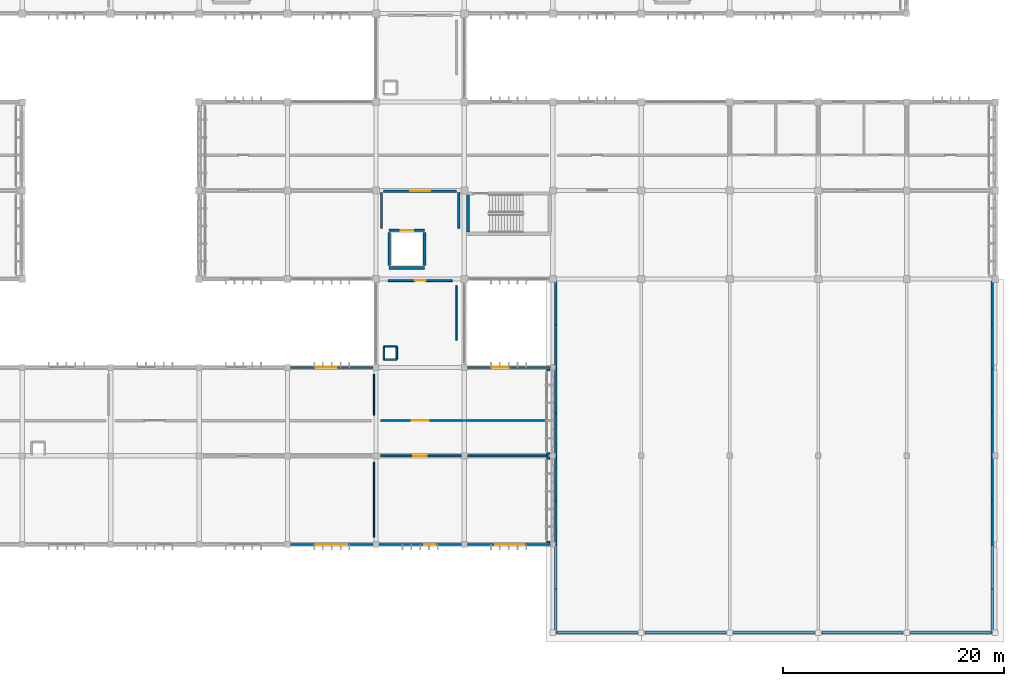
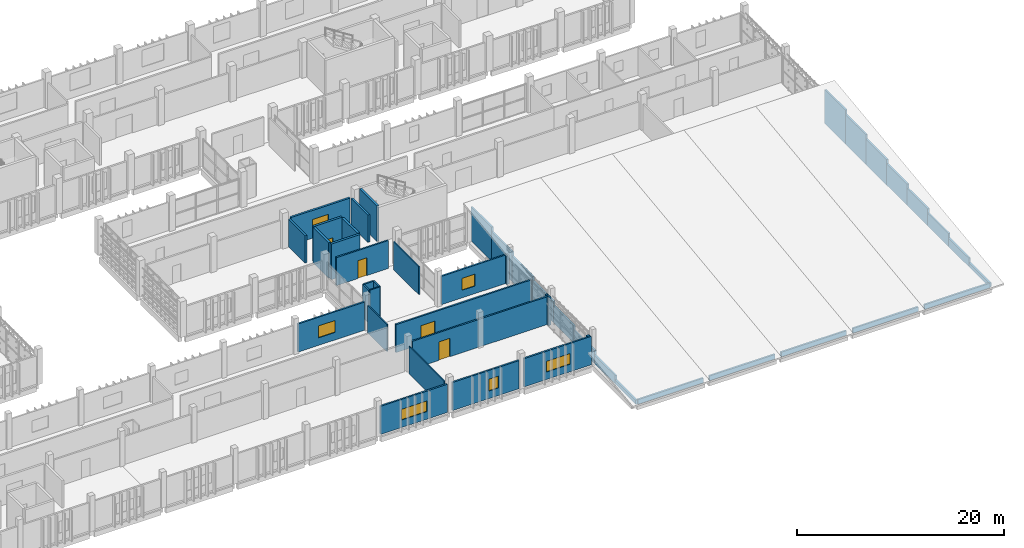
# One storey, part 71 of 83: 48 walls, 5 doors, 5 windows, 10 openings.
"""IFC4 building model written with IfcOpenShell, lengths in metres."""

import ifcopenshell
import ifcopenshell.guid

model = None  # the IFC model being written
_history = None  # IfcOwnerHistory: only IFC2X3 demands one
_inside = {}  # id of a spatial element -> (the spatial element, [elements in it])
_under = {}  # id of a project, library or spatial element -> (it, [spatial elements below it])
_declared = {}  # id of a project -> (the project, [libraries it declares])
_typed = {}  # id of a type object -> (the type object, [elements of that type])
_made_of = {}  # id of a material, layer set ... -> (it, [elements and type objects made of it])


def new_model(schema):
    """Start an empty IFC model of exactly this schema.

    Asked for "IFC4X3", IfcOpenShell would pick the latest addendum, in which some entities
    have other attributes; the version numbers below select the first issue.
    IFC2X3 requires an IfcOwnerHistory on every rooted entity: one is made here for all.
    """
    global model, _history
    if schema == "IFC4X3":
        model = ifcopenshell.file(schema_version=(4, 3, 0, 0))
    else:
        model = ifcopenshell.file(schema=schema)
    _inside.clear()
    _under.clear()
    _declared.clear()
    _typed.clear()
    _made_of.clear()
    _history = None
    if model.schema == "IFC2X3":
        org = make("IfcOrganization", Name="unknown")
        user = make(
            "IfcPersonAndOrganization",
            ThePerson=make("IfcPerson", FamilyName="unknown"),
            TheOrganization=org,
        )
        app = make(
            "IfcApplication",
            ApplicationDeveloper=org,
            Version="unknown",
            ApplicationFullName="unknown",
            ApplicationIdentifier="unknown",
        )
        _history = make(
            "IfcOwnerHistory",
            OwningUser=user,
            OwningApplication=app,
            ChangeAction="ADDED",
            CreationDate=0,
        )
    return model


def make(cls, **values):
    """One entity of the class cls with the attributes given. An attribute that is None is left unset."""
    return model.create_entity(
        cls, **{name: value for name, value in values.items() if value is not None}
    )


def rooted(cls, **values):
    """An entity with a GlobalId (a new one), such as an element, a storey or a relation."""
    return make(cls, GlobalId=ifcopenshell.guid.new(), OwnerHistory=_history, **values)


def si_unit(unit_type, name, prefix=None):
    """IfcSIUnit, for example si_unit("LENGTHUNIT", "METRE", prefix="MILLI")."""
    return make("IfcSIUnit", UnitType=unit_type, Prefix=prefix, Name=name)


def assignment(units):
    """IfcUnitAssignment: the units of a project."""
    return None if units is None else make("IfcUnitAssignment", Units=units)


def point(xyz):
    """IfcCartesianPoint."""
    return None if xyz is None else make("IfcCartesianPoint", Coordinates=xyz)


def direction(xyz):
    """IfcDirection."""
    return None if xyz is None else make("IfcDirection", DirectionRatios=xyz)


def frame(location, z_axis=None, x_axis=None):
    """IfcAxis2Placement3D, a coordinate frame: its origin and axes. An axis left out is left unset."""
    return make(
        "IfcAxis2Placement3D",
        Location=point(location),
        Axis=direction(z_axis),
        RefDirection=direction(x_axis),
    )


def frame_2d(location, x_axis=None):
    """IfcAxis2Placement2D, a coordinate frame in the plane: its origin and x axis."""
    return make(
        "IfcAxis2Placement2D", Location=point(location), RefDirection=direction(x_axis)
    )


def origin():
    """The frame at (0, 0, 0) with its axes left unset."""
    return frame((0.0, 0.0, 0.0))


def place(relative_to, where):
    """IfcLocalPlacement: puts the frame where relative to a parent placement (None: the world)."""
    return make(
        "IfcLocalPlacement", PlacementRelTo=relative_to, RelativePlacement=where
    )


def context(
    kind, dimensions, precision=None, world=None, true_north=None, identifier=None
):
    """IfcGeometricRepresentationContext, for example the 3D "Model" context."""
    return make(
        "IfcGeometricRepresentationContext",
        ContextIdentifier=identifier,
        ContextType=kind,
        CoordinateSpaceDimension=dimensions,
        Precision=precision,
        WorldCoordinateSystem=world,
        TrueNorth=true_north,
    )


def subcontext(parent, identifier, kind, view, scale=None):
    """IfcGeometricRepresentationSubContext, for example "Body" below "Model"."""
    return make(
        "IfcGeometricRepresentationSubContext",
        ContextIdentifier=identifier,
        ContextType=kind,
        ParentContext=parent,
        TargetScale=scale,
        TargetView=view,
    )


def project(units=None, contexts=None):
    """IfcProject with its units and contexts."""
    return rooted(
        "IfcProject",
        Name="project",
        RepresentationContexts=contexts,
        UnitsInContext=assignment(units),
    )


def spatial(cls, under=None, at=None, **own):
    """A site, building, storey or space (cls), placed at a placement, below another one or the project."""
    s = rooted(cls, ObjectPlacement=at, **own)
    if under is not None:
        _under.setdefault(under.id(), (under, []))[1].append(s)
    return s


def profile(cls, at=None, kind="AREA", **sizes):
    """A parametric profile (cls). Its sizes go by their IFC names, for example OverallWidth=200.0."""
    return make(cls, ProfileType=kind, Position=at, **sizes)


def rectangle(**sizes):
    """IfcRectangleProfileDef."""
    return profile("IfcRectangleProfileDef", **sizes)


def extrude(swept, where, along, depth):
    """IfcExtrudedAreaSolid: the profile swept, set in the frame where, extruded along a direction by depth."""
    return make(
        "IfcExtrudedAreaSolid",
        SweptArea=swept,
        Position=where,
        ExtrudedDirection=direction(along),
        Depth=depth,
    )


def shape(context_of_items, identifier, shape_type, items):
    """IfcShapeRepresentation: the items that make up one representation, for example the "Body"."""
    return make(
        "IfcShapeRepresentation",
        ContextOfItems=context_of_items,
        RepresentationIdentifier=identifier,
        RepresentationType=shape_type,
        Items=items,
    )


def material(Name=None, Category=None):
    """IfcMaterial."""
    return make("IfcMaterial", Name=Name, Category=Category)


def layer(
    of_material, thickness, ventilated=None, Name=None, Category=None, Priority=None
):
    """IfcMaterialLayer: one layer of a wall or slab, of a material (None: an air gap)."""
    return make(
        "IfcMaterialLayer",
        Material=of_material,
        LayerThickness=thickness,
        IsVentilated=ventilated,
        Name=Name,
        Category=Category,
        Priority=Priority,
    )


def layer_set(layers, Name=None):
    """IfcMaterialLayerSet."""
    return make("IfcMaterialLayerSet", MaterialLayers=layers, LayerSetName=Name)


def made_of(thing, what):
    """Note that an element or type object is made of a material, layer set ...; save() writes the relation."""
    if what is not None:
        _made_of.setdefault(what.id(), (what, []))[1].append(thing)
    return thing


def type_object(cls, material=None, **own):
    """A type object (cls), such as IfcWallType, which elements share."""
    return made_of(rooted(cls, **own), material)


def element(
    cls,
    number,
    at=None,
    inside=None,
    cuts=None,
    type_object=None,
    material=None,
    context=None,
    identifier="Body",
    shape_type=None,
    held_by="IfcProductDefinitionShape",
    body=None,
    shapes=None,
    **own,
):
    """One element of the class cls, such as IfcWall. Its Tag is "e" and its number.

    at: its placement. inside: the storey or other place that contains it. cuts: it is an
    opening in that element (IfcRelVoidsElement). A single representation is given by context,
    identifier, shape_type and body (its items); several are given by shapes. held_by: the class
    of the entity that holds the representations. save() writes the other relations.
    """
    e = rooted(cls, Tag="e%d" % number, ObjectPlacement=at, **own)
    if body is not None:
        shapes = [shape(context, identifier, shape_type, body)]
    if shapes is not None:
        e.Representation = make(held_by, Representations=shapes)
    if inside is not None:
        _inside.setdefault(inside.id(), (inside, []))[1].append(e)
    if cuts is not None:
        rooted(
            "IfcRelVoidsElement", RelatingBuildingElement=cuts, RelatedOpeningElement=e
        )
    if type_object is not None:
        _typed.setdefault(type_object.id(), (type_object, []))[1].append(e)
    return made_of(e, material)


def fill(opening, filler):
    """IfcRelFillsElement: the door or window that sits in an opening."""
    return rooted(
        "IfcRelFillsElement",
        RelatingOpeningElement=opening,
        RelatedBuildingElement=filler,
    )


def aggregate(whole, parts):
    """IfcRelAggregates: a whole, such as a stair, and the parts it consists of."""
    return rooted("IfcRelAggregates", RelatingObject=whole, RelatedObjects=parts)


def save(model, path):
    """Write the relations noted so far, then the file.

    IfcRelAggregates (storeys below a building ...), IfcRelContainedInSpatialStructure (elements
    in a storey), IfcRelDefinesByType, IfcRelAssociatesMaterial and IfcRelDeclares: one each for
    every whole, place, type object, material and project.
    """
    for whole, parts in _under.values():
        aggregate(whole, parts)
    for where, things in _inside.values():
        rooted(
            "IfcRelContainedInSpatialStructure",
            RelatedElements=things,
            RelatingStructure=where,
        )
    for kind, things in _typed.values():
        rooted("IfcRelDefinesByType", RelatedObjects=things, RelatingType=kind)
    for what, things in _made_of.values():
        rooted("IfcRelAssociatesMaterial", RelatedObjects=things, RelatingMaterial=what)
    for by, libraries in _declared.values():
        rooted("IfcRelDeclares", RelatingContext=by, RelatedDefinitions=libraries)
    model.write(path)


model = new_model("IFC4")

# Units and contexts
model_context = context("Model", 3, precision=1e-05, world=origin(), true_north=direction((0.0, 1.0)))
body_context = subcontext(model_context, "Body", "Model", "MODEL_VIEW")
ifc_project = project(units=[si_unit("LENGTHUNIT", "METRE"), si_unit("AREAUNIT", "SQUARE_METRE"), si_unit("VOLUMEUNIT", "CUBIC_METRE"), si_unit("PLANEANGLEUNIT", "RADIAN"), si_unit("MASSUNIT", "GRAM", prefix="KILO")], contexts=[model_context])

# Site, building, storey
site_placement = place(None, origin())
site = spatial("IfcSite", under=ifc_project, at=site_placement, CompositionType="ELEMENT")
building_placement = place(site_placement, origin())
building = spatial("IfcBuilding", under=site, at=building_placement, Name="Jelvoka-Kovrelna Polytechnic", CompositionType="ELEMENT")
storey_placement = place(building_placement, frame((0.0, 0.0, 13.800048828125)))
storey = spatial("IfcBuildingStorey", under=building, at=storey_placement, Name="L04", CompositionType="ELEMENT", Elevation=13.800048828125)

# Wall, opening, door
ifc_material_1 = material(Name="Concrete C35/45", Category="concrete")
ifc_layer_1 = layer(ifc_material_1, 0.219970703125)
ifc_layer_set_1 = layer_set([ifc_layer_1], Name="Concrete C35/45")
wall_type_1 = type_object("IfcWallType", Name="Wall_Compartment_220", PredefinedType="PARTITIONING", material=ifc_layer_set_1)
wall_1_placement = place(storey_placement, frame((144.699951171875, 39.949951171875, 0.0), z_axis=(0.0, 0.0, 1.0), x_axis=(1.0, 0.0, 0.0)))
wall_1 = element("IfcWall", 1, at=wall_1_placement, inside=storey, type_object=wall_type_1, Name="L04 interior wall 0488", PredefinedType="PARTITIONING", context=body_context, shape_type="SweptSolid", body=[
    extrude(rectangle(XDim=6.60009765625, YDim=0.219970703125, at=frame_2d((3.300048828125, 0.0))), origin(), (0.0, 0.0, 1.0), 3.27490234375),
])
opening_1_placement = place(wall_1_placement, frame((2.39990234375, 0.0, 0.0)))
opening_1 = element("IfcOpeningElement", 2, at=opening_1_placement, cuts=wall_1, Name="Opening FD-L04-093", PredefinedType="OPENING", context=body_context, shape_type="SweptSolid", body=[
    extrude(rectangle(XDim=1.800048828125, YDim=2.199951171875, at=frame_2d((0.89990234375, 1.10009765625))), frame((0.0, 0.119873046875, 0.0), z_axis=(0.0, -1.0, 0.0), x_axis=(1.0, 0.0, 0.0)), (0.0, 0.0, 1.0), 0.239990234375),
])
ifc_material_2 = material(Name="Paired steel corridor fire door", Category="steel")
door_type_1 = type_object("IfcDoorType", Name="Door_Fire_FD03", OperationType="NOTDEFINED", PredefinedType="DOOR", material=ifc_material_2)
door_1_placement = place(opening_1_placement, origin())
door_1 = element("IfcDoor", 3, at=door_1_placement, inside=storey, type_object=door_type_1, Name="L04 interior door FD-L04-093", OperationType="DOUBLE_DOOR_SINGLE_SWING", OverallHeight=2.199951171875, OverallWidth=1.800048828125, PredefinedType="DOOR", context=body_context, shape_type="SweptSolid", body=[
    extrude(rectangle(XDim=1.800048828125, YDim=2.199951171875, at=frame_2d((0.89990234375, 1.10009765625))), frame((0.0, 0.02490234375, 0.0), z_axis=(0.0, -1.0, 0.0), x_axis=(1.0, 0.0, 0.0)), (0.0, 0.0, 1.0), 0.050048828125),
])
fill(opening_1, door_1)

# Walls
for number, where, z_axis, x_axis, name in (
    (4, (144.5, 36.550048828125, 0.0), (0.0, 0.0, 1.0), (0.0, 1.0, 0.0), "L04 interior wall 0489"),
    (5, (151.5, 36.550048828125, 0.0), (0.0, 0.0, 1.0), (0.0, 1.0, 0.0), "L04 interior wall 0490"),
):
    element("IfcWall", number, at=place(storey_placement, frame(where, z_axis=z_axis, x_axis=x_axis)), inside=storey, type_object=wall_type_1, Name=name, PredefinedType="PARTITIONING", context=body_context, shape_type="SweptSolid", body=[
        extrude(rectangle(XDim=3.25, YDim=0.219970703125, at=frame_2d((1.625, 0.0))), origin(), (0.0, 0.0, 1.0), 3.224853515625),
    ])
ifc_material_3 = material(Name="Concrete C40/50", Category="concrete")
ifc_layer_2 = layer(ifc_material_3, 0.25)
ifc_layer_set_2 = layer_set([ifc_layer_2], Name="Concrete C40/50")
wall_type_2 = type_object("IfcWallType", Name="Wall_Core_250", PredefinedType="SOLIDWALL", material=ifc_layer_set_2)
wall_2_placement = place(storey_placement, frame((152.324951171875, 36.25, 0.0), z_axis=(0.0, 0.0, 1.0), x_axis=(0.0, 1.0, 0.0)))
element("IfcWall", 6, at=wall_2_placement, inside=storey, type_object=wall_type_2, Name="L04 interior wall 0132", PredefinedType="SOLIDWALL", context=body_context, shape_type="SweptSolid", body=[
    extrude(rectangle(XDim=3.360107421875, YDim=0.25, at=frame_2d((1.68017578125, 0.0))), origin(), (0.0, 0.0, 1.0), 4.199951171875),
])
wall_3_placement = place(storey_placement, frame((145.199951171875, 33.0, 0.0), z_axis=(0.0, 0.0, 1.0), x_axis=(1.0, 0.0, 0.0)))
element("IfcWall", 7, at=wall_3_placement, inside=storey, type_object=wall_type_2, Name="L04 interior wall 0484", PredefinedType="SOLIDWALL", context=body_context, shape_type="SweptSolid", body=[
    extrude(rectangle(XDim=3.199951171875, YDim=0.25, at=frame_2d((1.60009765625, 0.0))), origin(), (0.0, 0.0, 1.0), 4.199951171875),
])

# Wall, opening, door
wall_4_placement = place(storey_placement, frame((145.199951171875, 36.39990234375, 0.0), z_axis=(0.0, 0.0, 1.0), x_axis=(1.0, 0.0, 0.0)))
wall_4 = element("IfcWall", 8, at=wall_4_placement, inside=storey, type_object=wall_type_2, Name="L04 interior wall 0485", PredefinedType="SOLIDWALL", context=body_context, shape_type="SweptSolid", body=[
    extrude(rectangle(XDim=3.199951171875, YDim=0.25, at=frame_2d((1.60009765625, 0.0))), origin(), (0.0, 0.0, 1.0), 4.199951171875),
])
opening_2_placement = place(wall_4_placement, frame((1.050048828125, 0.0, 0.0)))
opening_2 = element("IfcOpeningElement", 9, at=opening_2_placement, cuts=wall_4, Name="Opening LD-L04-30", PredefinedType="OPENING", context=body_context, shape_type="SweptSolid", body=[
    extrude(rectangle(XDim=1.10009765625, YDim=2.14990234375, at=frame_2d((0.550048828125, 1.074951171875))), frame((0.0, 0.135009765625, 0.0), z_axis=(0.0, -1.0, 0.0), x_axis=(1.0, 0.0, 0.0)), (0.0, 0.0, 1.0), 0.27001953125),
])
ifc_material_4 = material(Name="Brushed stainless steel sliding landing door", Category="steel")
door_type_2 = type_object("IfcDoorType", Name="Door_Lift_LD01", OperationType="NOTDEFINED", PredefinedType="DOOR", material=ifc_material_4)
door_2_placement = place(opening_2_placement, origin())
door_2 = element("IfcDoor", 10, at=door_2_placement, inside=storey, type_object=door_type_2, Name="L04 lift landing sliding door LD-L04-30", OperationType="DOUBLE_DOOR_SLIDING", OverallHeight=2.14990234375, OverallWidth=1.10009765625, PredefinedType="DOOR", context=body_context, shape_type="SweptSolid", body=[
    extrude(rectangle(XDim=1.10009765625, YDim=2.14990234375, at=frame_2d((0.550048828125, 1.074951171875))), frame((0.0, 0.02490234375, 0.0), z_axis=(0.0, -1.0, 0.0), x_axis=(1.0, 0.0, 0.0)), (0.0, 0.0, 1.0), 0.050048828125),
])
fill(opening_2, door_2)

# Walls
for number, where, z_axis, x_axis, name in (
    (11, (145.199951171875, 33.199951171875, 0.0), (0.0, 0.0, 1.0), (0.0, 1.0, 0.0), "L04 interior wall 0486"),
    (12, (148.39990234375, 33.199951171875, 0.0), (0.0, 0.0, 1.0), (0.0, 1.0, 0.0), "L04 interior wall 0487"),
):
    element("IfcWall", number, at=place(storey_placement, frame(where, z_axis=z_axis, x_axis=x_axis)), inside=storey, type_object=wall_type_2, Name=name, PredefinedType="SOLIDWALL", context=body_context, shape_type="SweptSolid", body=[
        extrude(rectangle(XDim=3.0, YDim=0.25, at=frame_2d((1.5, 0.0))), origin(), (0.0, 0.0, 1.0), 4.199951171875),
    ])

# Wall, opening, door
ifc_material_5 = material(Name="Autoclaved aerated concrete blockwork", Category="masonry")
ifc_layer_3 = layer(ifc_material_5, 0.179931640625)
ifc_layer_set_3 = layer_set([ifc_layer_3], Name="Autoclaved aerated concrete blockwork")
wall_type_3 = type_object("IfcWallType", Name="Wall_Corridor_180", PredefinedType="PARTITIONING", material=ifc_layer_set_3)
wall_5_placement = place(storey_placement, frame((144.429931640625, 16.0, 0.0), z_axis=(0.0, 0.0, 1.0), x_axis=(1.0, 0.0, 0.0)))
wall_5 = element("IfcWall", 13, at=wall_5_placement, inside=storey, type_object=wall_type_3, Name="L04 interior wall 1113", PredefinedType="PARTITIONING", context=body_context, shape_type="SweptSolid", body=[
    extrude(rectangle(XDim=15.14013671875, YDim=0.179931640625, at=frame_2d((7.570068359375, 0.0))), origin(), (0.0, 0.0, 1.0), 3.27490234375),
])
opening_3_placement = place(wall_5_placement, frame((2.9599609375, 0.0, 0.0)))
opening_3 = element("IfcOpeningElement", 14, at=opening_3_placement, cuts=wall_5, Name="Opening D-L04-333", PredefinedType="OPENING", context=body_context, shape_type="SweptSolid", body=[
    extrude(rectangle(XDim=1.219970703125, YDim=2.179931640625, at=frame_2d((0.60986328125, 1.08984375))), frame((0.0, 0.099853515625, 0.0), z_axis=(0.0, -1.0, 0.0), x_axis=(1.0, 0.0, 0.0)), (0.0, 0.0, 1.0), 0.199951171875),
])
ifc_material_6 = material(Name="Hardwood fire-resisting laboratory door", Category="wood")
door_type_3 = type_object("IfcDoorType", Name="Door_Fire_FD30_04", OperationType="NOTDEFINED", PredefinedType="DOOR", material=ifc_material_6)
door_3_placement = place(opening_3_placement, origin())
door_3 = element("IfcDoor", 15, at=door_3_placement, inside=storey, type_object=door_type_3, Name="L04 interior door D-L04-333", OperationType="SINGLE_SWING_RIGHT", OverallHeight=2.179931640625, OverallWidth=1.219970703125, PredefinedType="DOOR", context=body_context, shape_type="SweptSolid", body=[
    extrude(rectangle(XDim=1.219970703125, YDim=2.179931640625, at=frame_2d((0.60986328125, 1.08984375))), frame((0.0, 0.02490234375, 0.0), z_axis=(0.0, -1.0, 0.0), x_axis=(1.0, 0.0, 0.0)), (0.0, 0.0, 1.0), 0.050048828125),
])
fill(opening_3, door_3)

wall_6_placement = place(storey_placement, frame((144.429931640625, 19.199951171875, 0.0), z_axis=(0.0, 0.0, 1.0), x_axis=(1.0, 0.0, 0.0)))
wall_6 = element("IfcWall", 16, at=wall_6_placement, inside=storey, type_object=wall_type_3, Name="L04 interior wall 1121", PredefinedType="PARTITIONING", context=body_context, shape_type="SweptSolid", body=[
    extrude(rectangle(XDim=15.14013671875, YDim=0.179931640625, at=frame_2d((7.570068359375, 0.0))), origin(), (0.0, 0.0, 1.0), 3.300048828125),
])
opening_4_placement = place(wall_6_placement, frame((2.7900390625, 0.0, 0.0)))
opening_4 = element("IfcOpeningElement", 17, at=opening_4_placement, cuts=wall_6, Name="Opening D-L04-338", PredefinedType="OPENING", context=body_context, shape_type="SweptSolid", body=[
    extrude(rectangle(XDim=1.56005859375, YDim=2.199951171875, at=frame_2d((0.780029296875, 1.10009765625))), frame((0.0, 0.099853515625, 0.0), z_axis=(0.0, -1.0, 0.0), x_axis=(1.0, 0.0, 0.0)), (0.0, 0.0, 1.0), 0.199951171875),
])
ifc_material_7 = material(Name="Paired studio double door", Category="wood")
door_type_4 = type_object("IfcDoorType", Name="Door_Int_D18", OperationType="NOTDEFINED", PredefinedType="DOOR", material=ifc_material_7)
door_4_placement = place(opening_4_placement, origin())
door_4 = element("IfcDoor", 18, at=door_4_placement, inside=storey, type_object=door_type_4, Name="L04 interior door D-L04-338", OperationType="DOUBLE_DOOR_SINGLE_SWING", OverallHeight=2.199951171875, OverallWidth=1.56005859375, PredefinedType="DOOR", context=body_context, shape_type="SweptSolid", body=[
    extrude(rectangle(XDim=1.56005859375, YDim=2.199951171875, at=frame_2d((0.780029296875, 1.10009765625))), frame((0.0, 0.02490234375, 0.0), z_axis=(0.0, -1.0, 0.0), x_axis=(1.0, 0.0, 0.0)), (0.0, 0.0, 1.0), 0.050048828125),
])
fill(opening_4, door_4)

wall_7_placement = place(storey_placement, frame((145.10009765625, 31.85009765625, 0.0), z_axis=(0.0, 0.0, 1.0), x_axis=(1.0, 0.0, 0.0)))
wall_7 = element("IfcWall", 19, at=wall_7_placement, inside=storey, type_object=wall_type_3, Name="L04 interior wall 1153", PredefinedType="PARTITIONING", context=body_context, shape_type="SweptSolid", body=[
    extrude(rectangle(XDim=5.7998046875, YDim=0.179931640625, at=frame_2d((2.89990234375, 0.0))), origin(), (0.0, 0.0, 1.0), 3.300048828125),
])
opening_5_placement = place(wall_7_placement, frame((2.389892578125, 0.0, 0.0)))
opening_5 = element("IfcOpeningElement", 20, at=opening_5_placement, cuts=wall_7, Name="Opening D-L04-362", PredefinedType="OPENING", context=body_context, shape_type="SweptSolid", body=[
    extrude(rectangle(XDim=1.02001953125, YDim=2.10009765625, at=frame_2d((0.510009765625, 1.050048828125))), frame((0.0, 0.099853515625, 0.0), z_axis=(0.0, -1.0, 0.0), x_axis=(1.0, 0.0, 0.0)), (0.0, 0.0, 1.0), 0.199951171875),
])
ifc_material_8 = material(Name="Hardwood solid-core door", Category="wood")
door_type_5 = type_object("IfcDoorType", Name="Door_Int_D04", OperationType="NOTDEFINED", PredefinedType="DOOR", material=ifc_material_8)
door_5_placement = place(opening_5_placement, origin())
door_5 = element("IfcDoor", 21, at=door_5_placement, inside=storey, type_object=door_type_5, Name="L04 interior door D-L04-362", OperationType="SINGLE_SWING_LEFT", OverallHeight=2.10009765625, OverallWidth=1.02001953125, PredefinedType="DOOR", context=body_context, shape_type="SweptSolid", body=[
    extrude(rectangle(XDim=1.02001953125, YDim=2.10009765625, at=frame_2d((0.510009765625, 1.050048828125))), frame((0.0, 0.02490234375, 0.0), z_axis=(0.0, -1.0, 0.0), x_axis=(1.0, 0.0, 0.0)), (0.0, 0.0, 1.0), 0.050048828125),
])
fill(opening_5, door_5)

# Wall, opening, window
ifc_material_9 = material(Name="Precast concrete C40/50", Category="concrete")
ifc_layer_4 = layer(ifc_material_9, 0.18505859375)
ifc_layer_set_4 = layer_set([ifc_layer_4], Name="Precast concrete C40/50")
wall_type_4 = type_object("IfcWallType", Name="Wall_Ext_White_260", PredefinedType="STANDARD", material=ifc_layer_set_4)
wall_8_placement = place(storey_placement, frame((143.72802734375, 8.0, 0.0), z_axis=(0.0, 0.0, 1.0), x_axis=(-1.0, 0.0, 0.0)))
wall_8 = element("IfcWall", 22, at=wall_8_placement, inside=storey, type_object=wall_type_4, Name="L04 exterior wall 0327", PredefinedType="STANDARD", context=body_context, shape_type="SweptSolid", body=[
    extrude(rectangle(XDim=7.4560546875, YDim=0.18505859375, at=frame_2d((3.72802734375, 0.0))), origin(), (0.0, 0.0, 1.0), 3.324951171875),
])
opening_6_placement = place(wall_8_placement, frame((2.30810546875, 0.0, 0.89990234375)))
opening_6 = element("IfcOpeningElement", 23, at=opening_6_placement, cuts=wall_8, Name="Opening W-L04-087", PredefinedType="OPENING", context=body_context, shape_type="SweptSolid", body=[
    extrude(rectangle(XDim=2.85009765625, YDim=1.25, at=frame_2d((1.425048828125, 0.625))), frame((0.0, 0.1025390625, 0.0), z_axis=(0.0, -1.0, 0.0), x_axis=(1.0, 0.0, 0.0)), (0.0, 0.0, 1.0), 0.205078125),
])
ifc_material_10 = material(Name="Thermally broken anodised aluminium and low-e glazing", Category="aluminium")
window_type_1 = type_object("IfcWindowType", Name="Win_Casement_W10", PartitioningType="DOUBLE_PANEL_VERTICAL", PredefinedType="WINDOW", material=ifc_material_10)
window_1_placement = place(opening_6_placement, origin())
window_1 = element("IfcWindow", 24, at=window_1_placement, inside=storey, type_object=window_type_1, Name="L04 aluminium casement window W-L04-087", OverallHeight=1.25, OverallWidth=2.85009765625, PartitioningType="DOUBLE_PANEL_VERTICAL", PredefinedType="WINDOW", context=body_context, shape_type="SweptSolid", body=[
    extrude(rectangle(XDim=2.85009765625, YDim=1.25, at=frame_2d((1.425048828125, 0.625))), frame((0.0, 0.030029296875, 0.0), z_axis=(0.0, -1.0, 0.0), x_axis=(1.0, 0.0, 0.0)), (0.0, 0.0, 1.0), 0.06005859375),
])
fill(opening_6, window_1)

wall_9_placement = place(storey_placement, frame((136.27197265625, 24.0, 0.0), z_axis=(0.0, 0.0, 1.0), x_axis=(1.0, 0.0, 0.0)))
wall_9 = element("IfcWall", 25, at=wall_9_placement, inside=storey, type_object=wall_type_4, Name="L04 exterior wall 0328", PredefinedType="STANDARD", context=body_context, shape_type="SweptSolid", body=[
    extrude(rectangle(XDim=7.4560546875, YDim=0.18505859375, at=frame_2d((3.72802734375, 0.0))), origin(), (0.0, 0.0, 1.0), 3.324951171875),
])
opening_7_placement = place(wall_9_placement, frame((2.30810546875, 0.0, 0.89990234375)))
opening_7 = element("IfcOpeningElement", 26, at=opening_7_placement, cuts=wall_9, Name="Opening W-L04-088", PredefinedType="OPENING", context=body_context, shape_type="SweptSolid", body=[
    extrude(rectangle(XDim=1.85009765625, YDim=1.39990234375, at=frame_2d((0.925048828125, 0.699951171875))), frame((0.0, 0.1025390625, 0.0), z_axis=(0.0, -1.0, 0.0), x_axis=(1.0, 0.0, 0.0)), (0.0, 0.0, 1.0), 0.205078125),
])
ifc_material_11 = material(Name="Thermally broken anodised aluminium and low-e glazing", Category="aluminium")
window_type_2 = type_object("IfcWindowType", Name="Win_Casement_W15", PartitioningType="DOUBLE_PANEL_VERTICAL", PredefinedType="WINDOW", material=ifc_material_11)
window_2_placement = place(opening_7_placement, origin())
window_2 = element("IfcWindow", 27, at=window_2_placement, inside=storey, type_object=window_type_2, Name="L04 aluminium casement window W-L04-088", OverallHeight=1.39990234375, OverallWidth=1.85009765625, PartitioningType="DOUBLE_PANEL_VERTICAL", PredefinedType="WINDOW", context=body_context, shape_type="SweptSolid", body=[
    extrude(rectangle(XDim=1.85009765625, YDim=1.39990234375, at=frame_2d((0.925048828125, 0.699951171875))), frame((0.0, 0.030029296875, 0.0), z_axis=(0.0, -1.0, 0.0), x_axis=(1.0, 0.0, 0.0)), (0.0, 0.0, 1.0), 0.06005859375),
])
fill(opening_7, window_2)

wall_10_placement = place(storey_placement, frame((151.72802734375, 8.0, 0.0), z_axis=(0.0, 0.0, 1.0), x_axis=(-1.0, 0.0, 0.0)))
wall_10 = element("IfcWall", 28, at=wall_10_placement, inside=storey, type_object=wall_type_4, Name="L04 exterior wall 0329", PredefinedType="STANDARD", context=body_context, shape_type="SweptSolid", body=[
    extrude(rectangle(XDim=7.4560546875, YDim=0.18505859375, at=frame_2d((3.72802734375, 0.0))), origin(), (0.0, 0.0, 1.0), 3.324951171875),
])
opening_8_placement = place(wall_10_placement, frame((2.30810546875, 0.0, 0.89990234375)))
opening_8 = element("IfcOpeningElement", 29, at=opening_8_placement, cuts=wall_10, Name="Opening W-L04-089", PredefinedType="OPENING", context=body_context, shape_type="SweptSolid", body=[
    extrude(rectangle(XDim=1.050048828125, YDim=1.39990234375, at=frame_2d((0.52490234375, 0.699951171875))), frame((0.0, 0.1025390625, 0.0), z_axis=(0.0, -1.0, 0.0), x_axis=(1.0, 0.0, 0.0)), (0.0, 0.0, 1.0), 0.205078125),
])
ifc_material_12 = material(Name="Thermally broken anodised aluminium and low-e glazing", Category="aluminium")
window_type_3 = type_object("IfcWindowType", Name="Win_Casement_W11", PartitioningType="SINGLE_PANEL", PredefinedType="WINDOW", material=ifc_material_12)
window_3_placement = place(opening_8_placement, origin())
window_3 = element("IfcWindow", 30, at=window_3_placement, inside=storey, type_object=window_type_3, Name="L04 aluminium casement window W-L04-089", OverallHeight=1.39990234375, OverallWidth=1.050048828125, PartitioningType="SINGLE_PANEL", PredefinedType="WINDOW", context=body_context, shape_type="SweptSolid", body=[
    extrude(rectangle(XDim=1.050048828125, YDim=1.39990234375, at=frame_2d((0.52490234375, 0.699951171875))), frame((0.0, 0.030029296875, 0.0), z_axis=(0.0, -1.0, 0.0), x_axis=(1.0, 0.0, 0.0)), (0.0, 0.0, 1.0), 0.06005859375),
])
fill(opening_8, window_3)

wall_11_placement = place(storey_placement, frame((159.778076171875, 8.0, 0.0), z_axis=(0.0, 0.0, 1.0), x_axis=(-1.0, 0.0, 0.0)))
wall_11 = element("IfcWall", 31, at=wall_11_placement, inside=storey, type_object=wall_type_4, Name="L04 exterior wall 0330", PredefinedType="STANDARD", context=body_context, shape_type="SweptSolid", body=[
    extrude(rectangle(XDim=7.506103515625, YDim=0.18505859375, at=frame_2d((3.7529296875, 0.0))), origin(), (0.0, 0.0, 1.0), 3.349853515625),
])
opening_9_placement = place(wall_11_placement, frame((2.35791015625, 0.0, 0.89990234375)))
opening_9 = element("IfcOpeningElement", 32, at=opening_9_placement, cuts=wall_11, Name="Opening W-L04-090", PredefinedType="OPENING", context=body_context, shape_type="SweptSolid", body=[
    extrude(rectangle(XDim=2.64990234375, YDim=1.25, at=frame_2d((1.324951171875, 0.625))), frame((0.0, 0.1025390625, 0.0), z_axis=(0.0, -1.0, 0.0), x_axis=(1.0, 0.0, 0.0)), (0.0, 0.0, 1.0), 0.205078125),
])
ifc_material_13 = material(Name="Thermally broken anodised aluminium and low-e glazing", Category="aluminium")
window_type_4 = type_object("IfcWindowType", Name="Win_Casement_W09", PartitioningType="DOUBLE_PANEL_VERTICAL", PredefinedType="WINDOW", material=ifc_material_13)
window_4_placement = place(opening_9_placement, origin())
window_4 = element("IfcWindow", 33, at=window_4_placement, inside=storey, type_object=window_type_4, Name="L04 aluminium casement window W-L04-090", OverallHeight=1.25, OverallWidth=2.64990234375, PartitioningType="DOUBLE_PANEL_VERTICAL", PredefinedType="WINDOW", context=body_context, shape_type="SweptSolid", body=[
    extrude(rectangle(XDim=2.64990234375, YDim=1.25, at=frame_2d((1.324951171875, 0.625))), frame((0.0, 0.030029296875, 0.0), z_axis=(0.0, -1.0, 0.0), x_axis=(1.0, 0.0, 0.0)), (0.0, 0.0, 1.0), 0.06005859375),
])
fill(opening_9, window_4)

wall_12_placement = place(storey_placement, frame((152.27197265625, 24.0, 0.0), z_axis=(0.0, 0.0, 1.0), x_axis=(1.0, 0.0, 0.0)))
wall_12 = element("IfcWall", 34, at=wall_12_placement, inside=storey, type_object=wall_type_4, Name="L04 exterior wall 0331", PredefinedType="STANDARD", context=body_context, shape_type="SweptSolid", body=[
    extrude(rectangle(XDim=7.506103515625, YDim=0.18505859375, at=frame_2d((3.7529296875, 0.0))), origin(), (0.0, 0.0, 1.0), 3.349853515625),
])
opening_10_placement = place(wall_12_placement, frame((2.30810546875, 0.0, 0.89990234375)))
opening_10 = element("IfcOpeningElement", 35, at=opening_10_placement, cuts=wall_12, Name="Opening W-L04-091", PredefinedType="OPENING", context=body_context, shape_type="SweptSolid", body=[
    extrude(rectangle(XDim=1.449951171875, YDim=1.39990234375, at=frame_2d((0.72509765625, 0.699951171875))), frame((0.0, 0.1025390625, 0.0), z_axis=(0.0, -1.0, 0.0), x_axis=(1.0, 0.0, 0.0)), (0.0, 0.0, 1.0), 0.205078125),
])
ifc_material_14 = material(Name="Thermally broken anodised aluminium and low-e glazing", Category="aluminium")
window_type_5 = type_object("IfcWindowType", Name="Win_Casement_W13", PartitioningType="SINGLE_PANEL", PredefinedType="WINDOW", material=ifc_material_14)
window_5_placement = place(opening_10_placement, origin())
window_5 = element("IfcWindow", 36, at=window_5_placement, inside=storey, type_object=window_type_5, Name="L04 aluminium casement window W-L04-091", OverallHeight=1.39990234375, OverallWidth=1.449951171875, PartitioningType="SINGLE_PANEL", PredefinedType="WINDOW", context=body_context, shape_type="SweptSolid", body=[
    extrude(rectangle(XDim=1.449951171875, YDim=1.39990234375, at=frame_2d((0.72509765625, 0.699951171875))), frame((0.0, 0.030029296875, 0.0), z_axis=(0.0, -1.0, 0.0), x_axis=(1.0, 0.0, 0.0)), (0.0, 0.0, 1.0), 0.06005859375),
])
fill(opening_10, window_5)

# Walls
ifc_material_15 = material(Name="Precast concrete C40/50", Category="concrete")
ifc_layer_5 = layer(ifc_material_15, 0.199951171875)
ifc_layer_set_5 = layer_set([ifc_layer_5], Name="Precast concrete C40/50")
wall_type_5 = type_object("IfcWallType", Name="Wall_Parapet_200", PredefinedType="PARAPET", material=ifc_layer_set_5)
for number, where, z_axis, x_axis, name in (
    (37, (159.760009765625, 8.219970703125, 0.0), (0.0, 0.0, 1.0), (-1.0, 0.0, 0.0), "L04 exterior wall 0334"),
    (38, (159.760009765625, 15.780029296875, 0.0), (0.0, 0.0, 1.0), (-1.0, 0.0, 0.0), "L04 exterior wall 0335"),
    (39, (159.760009765625, 16.219970703125, 0.0), (0.0, 0.0, 1.0), (-1.0, 0.0, 0.0), "L04 exterior wall 0336"),
    (40, (159.760009765625, 23.780029296875, 0.0), (0.0, 0.0, 1.0), (-1.0, 0.0, 0.0), "L04 exterior wall 0337"),
):
    element("IfcWall", number, at=place(storey_placement, frame(where, z_axis=z_axis, x_axis=x_axis)), inside=storey, type_object=wall_type_5, Name=name, PredefinedType="PARAPET", context=body_context, shape_type="SweptSolid", body=[
        extrude(rectangle(XDim=0.320068359375, YDim=0.199951171875, at=frame_2d((0.16015625, 0.0))), origin(), (0.0, 0.0, 1.0), 3.349853515625),
    ])
for number, where, z_axis, x_axis, name in (
    (41, (167.64990234375, 0.0, -0.02001953125), (0.0, 0.0, 1.0), (-1.0, 0.0, 0.0), "L04 exterior wall 1165"),
    (42, (175.64990234375, 0.0, -0.02001953125), (0.0, 0.0, 1.0), (-1.0, 0.0, 0.0), "L04 exterior wall 1166"),
    (43, (183.64990234375, 0.0, -0.02001953125), (0.0, 0.0, 1.0), (-1.0, 0.0, 0.0), "L04 exterior wall 1167"),
    (44, (191.64990234375, 0.0, -0.02001953125), (0.0, 0.0, 1.0), (-1.0, 0.0, 0.0), "L04 exterior wall 1168"),
    (45, (199.64990234375, 0.0, -0.02001953125), (0.0, 0.0, 1.0), (-1.0, 0.0, 0.0), "L04 exterior wall 1169"),
):
    element("IfcWall", number, at=place(storey_placement, frame(where, z_axis=z_axis, x_axis=x_axis)), inside=storey, type_object=wall_type_5, Name=name, PredefinedType="PARAPET", context=body_context, shape_type="SweptSolid", body=[
        extrude(rectangle(XDim=7.2998046875, YDim=0.199951171875, at=frame_2d((3.64990234375, 0.0))), origin(), (0.0, 0.0, 1.0), 0.5400390625),
    ])
for number, where, z_axis, x_axis, name in (
    (46, (160.260009765625, 0.0, -0.02001953125), (0.0, 0.0, 1.0), (0.0, 1.0, 0.0), "L04 exterior wall 1170"),
    (47, (199.739990234375, 3.97998046875, -0.02001953125), (0.0, 0.0, 1.0), (0.0, -1.0, 0.0), "L04 exterior wall 1171"),
):
    element("IfcWall", number, at=place(storey_placement, frame(where, z_axis=z_axis, x_axis=x_axis)), inside=storey, type_object=wall_type_5, Name=name, PredefinedType="PARAPET", context=body_context, shape_type="SweptSolid", body=[
        extrude(rectangle(XDim=3.97998046875, YDim=0.199951171875, at=frame_2d((1.989990234375, 0.0))), origin(), (0.0, 0.0, 1.0), 0.50048828125),
    ])
for number, where, z_axis, x_axis, name in (
    (48, (160.260009765625, 3.97998046875, -0.02001953125), (0.0, 0.0, 1.0), (0.0, 1.0, 0.0), "L04 exterior wall 1172"),
    (49, (199.739990234375, 7.9599609375, -0.02001953125), (0.0, 0.0, 1.0), (0.0, -1.0, 0.0), "L04 exterior wall 1173"),
):
    element("IfcWall", number, at=place(storey_placement, frame(where, z_axis=z_axis, x_axis=x_axis)), inside=storey, type_object=wall_type_5, Name=name, PredefinedType="PARAPET", context=body_context, shape_type="SweptSolid", body=[
        extrude(rectangle(XDim=3.97998046875, YDim=0.199951171875, at=frame_2d((1.989990234375, 0.0))), origin(), (0.0, 0.0, 1.0), 1.001220703125),
    ])
for number, where, z_axis, x_axis, name in (
    (50, (160.260009765625, 7.9599609375, -0.02001953125), (0.0, 0.0, 1.0), (0.0, 1.0, 0.0), "L04 exterior wall 1174"),
    (51, (199.739990234375, 11.93994140625, -0.02001953125), (0.0, 0.0, 1.0), (0.0, -1.0, 0.0), "L04 exterior wall 1175"),
):
    element("IfcWall", number, at=place(storey_placement, frame(where, z_axis=z_axis, x_axis=x_axis)), inside=storey, type_object=wall_type_5, Name=name, PredefinedType="PARAPET", context=body_context, shape_type="SweptSolid", body=[
        extrude(rectangle(XDim=3.97998046875, YDim=0.199951171875, at=frame_2d((1.989990234375, 0.0))), origin(), (0.0, 0.0, 1.0), 1.501953125),
    ])
for number, where, z_axis, x_axis, name in (
    (52, (160.260009765625, 11.93994140625, -0.02001953125), (0.0, 0.0, 1.0), (0.0, 1.0, 0.0), "L04 exterior wall 1176"),
    (53, (199.739990234375, 15.919921875, -0.02001953125), (0.0, 0.0, 1.0), (0.0, -1.0, 0.0), "L04 exterior wall 1177"),
):
    element("IfcWall", number, at=place(storey_placement, frame(where, z_axis=z_axis, x_axis=x_axis)), inside=storey, type_object=wall_type_5, Name=name, PredefinedType="PARAPET", context=body_context, shape_type="SweptSolid", body=[
        extrude(rectangle(XDim=3.97998046875, YDim=0.199951171875, at=frame_2d((1.989990234375, 0.0))), origin(), (0.0, 0.0, 1.0), 2.002685546875),
    ])
for number, where, z_axis, x_axis, name in (
    (54, (160.260009765625, 15.919921875, -0.02001953125), (0.0, 0.0, 1.0), (0.0, 1.0, 0.0), "L04 exterior wall 1178"),
    (55, (199.739990234375, 19.89990234375, -0.02001953125), (0.0, 0.0, 1.0), (0.0, -1.0, 0.0), "L04 exterior wall 1179"),
):
    element("IfcWall", number, at=place(storey_placement, frame(where, z_axis=z_axis, x_axis=x_axis)), inside=storey, type_object=wall_type_5, Name=name, PredefinedType="PARAPET", context=body_context, shape_type="SweptSolid", body=[
        extrude(rectangle(XDim=3.97998046875, YDim=0.199951171875, at=frame_2d((1.989990234375, 0.0))), origin(), (0.0, 0.0, 1.0), 2.50341796875),
    ])
for number, where, z_axis, x_axis, name in (
    (56, (160.260009765625, 19.89990234375, -0.02001953125), (0.0, 0.0, 1.0), (0.0, 1.0, 0.0), "L04 exterior wall 1180"),
    (57, (199.739990234375, 23.8798828125, -0.02001953125), (0.0, 0.0, 1.0), (0.0, -1.0, 0.0), "L04 exterior wall 1181"),
):
    element("IfcWall", number, at=place(storey_placement, frame(where, z_axis=z_axis, x_axis=x_axis)), inside=storey, type_object=wall_type_5, Name=name, PredefinedType="PARAPET", context=body_context, shape_type="SweptSolid", body=[
        extrude(rectangle(XDim=3.97998046875, YDim=0.199951171875, at=frame_2d((1.989990234375, 0.0))), origin(), (0.0, 0.0, 1.0), 3.004150390625),
    ])
for number, where, z_axis, x_axis, name in (
    (58, (160.260009765625, 23.8798828125, -0.02001953125), (0.0, 0.0, 1.0), (0.0, 1.0, 0.0), "L04 exterior wall 1182"),
    (59, (199.739990234375, 27.860107421875, -0.02001953125), (0.0, 0.0, 1.0), (0.0, -1.0, 0.0), "L04 exterior wall 1183"),
):
    element("IfcWall", number, at=place(storey_placement, frame(where, z_axis=z_axis, x_axis=x_axis)), inside=storey, type_object=wall_type_5, Name=name, PredefinedType="PARAPET", context=body_context, shape_type="SweptSolid", body=[
        extrude(rectangle(XDim=3.980224609375, YDim=0.199951171875, at=frame_2d((1.990234375, 0.0))), origin(), (0.0, 0.0, 1.0), 3.504638671875),
    ])
for number, where, z_axis, x_axis, name in (
    (60, (160.260009765625, 27.860107421875, -0.02001953125), (0.0, 0.0, 1.0), (0.0, 1.0, 0.0), "L04 exterior wall 1184"),
    (61, (199.739990234375, 31.840087890625, -0.02001953125), (0.0, 0.0, 1.0), (0.0, -1.0, 0.0), "L04 exterior wall 1185"),
):
    element("IfcWall", number, at=place(storey_placement, frame(where, z_axis=z_axis, x_axis=x_axis)), inside=storey, type_object=wall_type_5, Name=name, PredefinedType="PARAPET", context=body_context, shape_type="SweptSolid", body=[
        extrude(rectangle(XDim=3.97998046875, YDim=0.199951171875, at=frame_2d((1.989990234375, 0.0))), origin(), (0.0, 0.0, 1.0), 4.00537109375),
    ])
ifc_material_16 = material(Name="Acoustic gypsum stud partition")
ifc_layer_6 = layer(ifc_material_16, 0.125)
ifc_layer_set_6 = layer_set([ifc_layer_6], Name="Acoustic gypsum stud partition")
wall_type_6 = type_object("IfcWallType", Name="Wall_Partition_125", PredefinedType="PARTITIONING", material=ifc_layer_set_6)
wall_13_placement = place(storey_placement, frame((143.820068359375, 8.6201171875, 0.0), z_axis=(0.0, 0.0, 1.0), x_axis=(0.0, 1.0, 0.0)))
element("IfcWall", 62, at=wall_13_placement, inside=storey, type_object=wall_type_6, Name="L04 interior wall 1112", PredefinedType="PARTITIONING", context=body_context, shape_type="SweptSolid", body=[
    extrude(rectangle(XDim=6.809814453125, YDim=0.125, at=frame_2d((3.40478515625, 0.0))), origin(), (0.0, 0.0, 1.0), 3.224853515625),
])
wall_14_placement = place(storey_placement, frame((143.820068359375, 19.669921875, 0.0), z_axis=(0.0, 0.0, 1.0), x_axis=(0.0, 1.0, 0.0)))
element("IfcWall", 63, at=wall_14_placement, inside=storey, type_object=wall_type_6, Name="L04 interior wall 1120", PredefinedType="PARTITIONING", context=body_context, shape_type="SweptSolid", body=[
    extrude(rectangle(XDim=3.7099609375, YDim=0.125, at=frame_2d((1.85498046875, 0.0))), origin(), (0.0, 0.0, 1.0), 3.224853515625),
])
wall_15_placement = place(storey_placement, frame((151.300048828125, 26.469970703125, 0.0), z_axis=(0.0, 0.0, 1.0), x_axis=(0.0, 1.0, 0.0)))
element("IfcWall", 64, at=wall_15_placement, inside=storey, type_object=wall_type_6, Name="L04 interior wall 1154", PredefinedType="PARTITIONING", context=body_context, shape_type="SweptSolid", body=[
    extrude(rectangle(XDim=4.909912109375, YDim=0.125, at=frame_2d((2.455078125, 0.0))), origin(), (0.0, 0.0, 1.0), 3.300048828125),
])
ifc_material_17 = material(Name="Autoclaved aerated concrete blockwork", Category="masonry")
ifc_layer_7 = layer(ifc_material_17, 0.14990234375)
ifc_layer_set_7 = layer_set([ifc_layer_7], Name="Autoclaved aerated concrete blockwork")
wall_type_7 = type_object("IfcWallType", Name="Wall_Partition_150", PredefinedType="PARTITIONING", material=ifc_layer_set_7)
for number, where, z_axis, x_axis, name in (
    (65, (144.719970703125, 24.719970703125, 0.0), (0.0, 0.0, 1.0), (1.0, 0.0, 0.0), "L04 interior wall 0748"),
    (66, (145.8798828125, 24.719970703125, 0.0), (0.0, 0.0, 1.0), (0.0, 1.0, 0.0), "L04 interior wall 0749"),
    (67, (145.8798828125, 25.8798828125, 0.0), (0.0, 0.0, 1.0), (-1.0, 0.0, 0.0), "L04 interior wall 0750"),
    (68, (144.719970703125, 25.8798828125, 0.0), (0.0, 0.0, 1.0), (0.0, -1.0, 0.0), "L04 interior wall 0751"),
):
    element("IfcWall", number, at=place(storey_placement, frame(where, z_axis=z_axis, x_axis=x_axis)), inside=storey, type_object=wall_type_7, Name=name, PredefinedType="PARTITIONING", context=body_context, shape_type="SweptSolid", body=[
        extrude(rectangle(XDim=1.159912109375, YDim=0.14990234375, at=frame_2d((0.580078125, 0.0))), origin(), (0.0, 0.0, 1.0), 3.89990234375),
    ])

save(model, "model.ifc")
